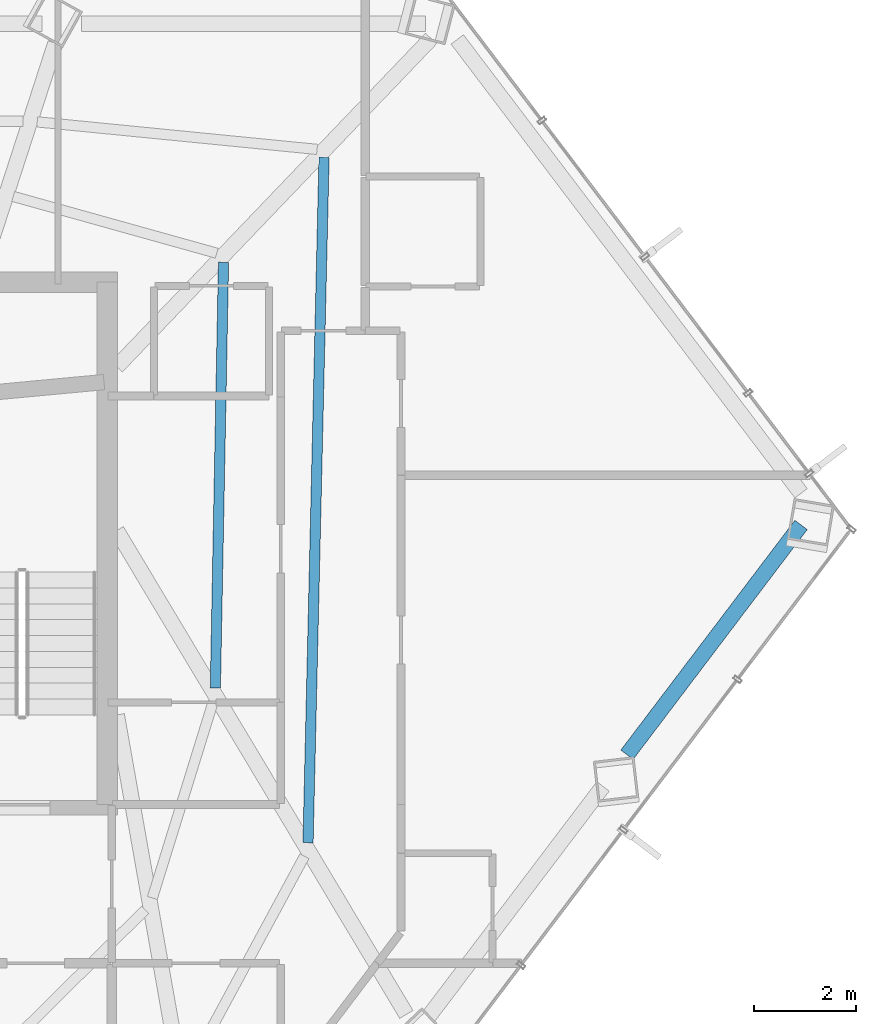
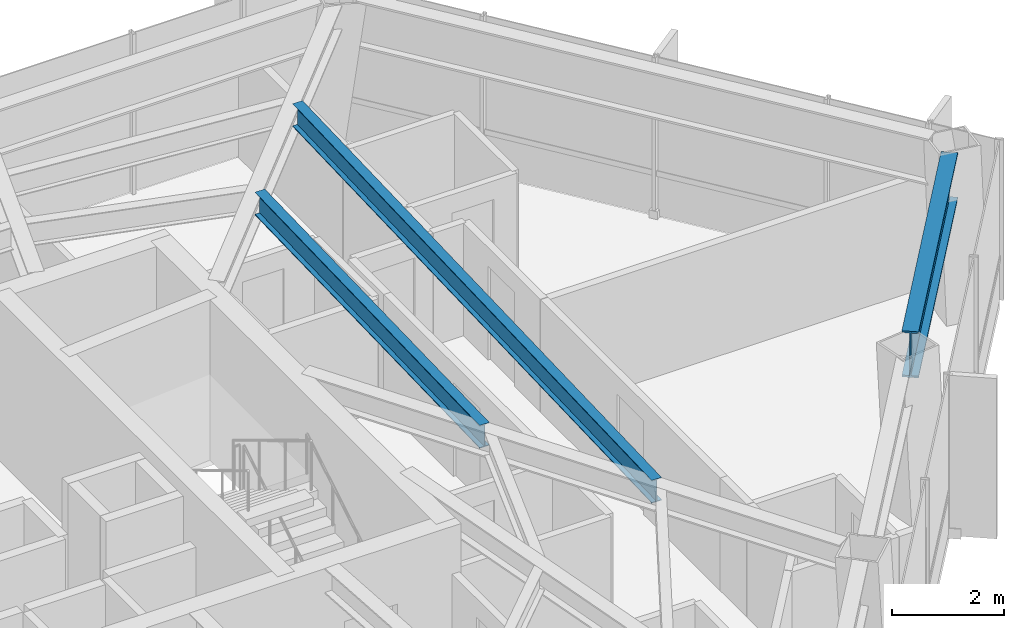
# One storey, part 22 of 30: 3 beams.
"""IFC4 building model written with IfcOpenShell, lengths in metres."""

from ifc_helpers import new_model, si_unit, direction, frame, origin, origin_2d, place, context, subcontext, project, spatial, i_section, extrude, material, material_profile, profile_set, type_object, element, save


model = new_model("IFC4")

# Units and contexts
model_context = context("Model", 3, precision=1e-05, world=origin(), true_north=direction((0.0, 1.0)))
body_context = subcontext(model_context, "Body", "Model", "MODEL_VIEW")
ifc_project = project(units=[si_unit("LENGTHUNIT", "METRE"), si_unit("AREAUNIT", "SQUARE_METRE"), si_unit("VOLUMEUNIT", "CUBIC_METRE"), si_unit("PLANEANGLEUNIT", "RADIAN"), si_unit("MASSUNIT", "GRAM", prefix="KILO")], contexts=[model_context])

# Site, building, storey
site_placement = place(None, origin())
site = spatial("IfcSite", under=ifc_project, at=site_placement, CompositionType="ELEMENT")
building_placement = place(site_placement, origin())
building = spatial("IfcBuilding", under=site, at=building_placement, Name="Zarrinselat Tower", CompositionType="ELEMENT")
storey_placement = place(building_placement, frame((0.0, 0.0, 130.89990234375)))
storey = spatial("IfcBuildingStorey", under=building, at=storey_placement, Name="L31", CompositionType="ELEMENT", Elevation=130.89990234375)

# Beams
ifc_material_1 = material(Name="Steel S460M", Category="steel")
ifc_material_profile_1 = material_profile(ifc_material_1, i_section(OverallWidth=0.302001953125, OverallDepth=1.008056640625, WebThickness=0.02099609375, FlangeThickness=0.0400390625, at=origin_2d()), Name="HEM 1000")
ifc_profile_set_1 = profile_set([ifc_material_profile_1], Name="Steel S460M")
beam_type_1 = type_object("IfcBeamType", Name="BM-HEM1000", PredefinedType="BEAM", material=ifc_profile_set_1)
beam_1_placement = place(storey_placement, frame((58.412841796875, 34.223388671875, 2.99609375), z_axis=(0.603878561397, 0.797076334541, 0.0), x_axis=(-0.797076334541, 0.603878561397, 0.0)))
element("IfcBeam", 1, at=beam_1_placement, inside=storey, type_object=beam_type_1, Name="L31 Perimeter Spandrel Girder SP14", PredefinedType="BEAM", context=body_context, shape_type="SweptSolid", body=[
    extrude(i_section(OverallWidth=0.302001953125, OverallDepth=1.008056640625, WebThickness=0.02099609375, FlangeThickness=0.0400390625, at=origin_2d()), origin(), (0.0, 0.0, 1.0), 5.629638671875),
])
ifc_material_2 = material(Name="Steel S355J2", Category="steel")
ifc_material_profile_2 = material_profile(ifc_material_2, i_section(OverallWidth=0.199951171875, OverallDepth=0.5, WebThickness=0.01025390625, FlangeThickness=0.01611328125, at=origin_2d()), Name="IPE 500")
ifc_profile_set_2 = profile_set([ifc_material_profile_2], Name="Steel S355J2")
beam_type_2 = type_object("IfcBeamType", Name="BM-IPE500", PredefinedType="JOIST", material=ifc_profile_set_2)
beam_2_placement = place(storey_placement, frame((52.184814453125, 32.5048828125, 3.25), z_axis=(0.023339801828, 0.999727589722, 0.0), x_axis=(-0.999727589722, 0.023339801828, 0.0)))
element("IfcBeam", 2, at=beam_2_placement, inside=storey, type_object=beam_type_2, Name="L31 Composite Floor Joist 5-1", PredefinedType="JOIST", context=body_context, shape_type="SweptSolid", body=[
    extrude(i_section(OverallWidth=0.199951171875, OverallDepth=0.5, WebThickness=0.01025390625, FlangeThickness=0.01611328125, at=origin_2d()), origin(), (0.0, 0.0, 1.0), 13.38916015625),
])
beam_3_placement = place(storey_placement, frame((50.375, 35.52783203125, 3.25), z_axis=(0.019118817101, 0.999817218712, 0.0), x_axis=(-0.999817218712, 0.019118817101, 0.0)))
element("IfcBeam", 3, at=beam_3_placement, inside=storey, type_object=beam_type_2, Name="L31 Composite Floor Joist 5-2", PredefinedType="JOIST", context=body_context, shape_type="SweptSolid", body=[
    extrude(i_section(OverallWidth=0.199951171875, OverallDepth=0.5, WebThickness=0.01025390625, FlangeThickness=0.01611328125, at=origin_2d()), origin(), (0.0, 0.0, 1.0), 8.31298828125),
])

save(model, "model.ifc")
